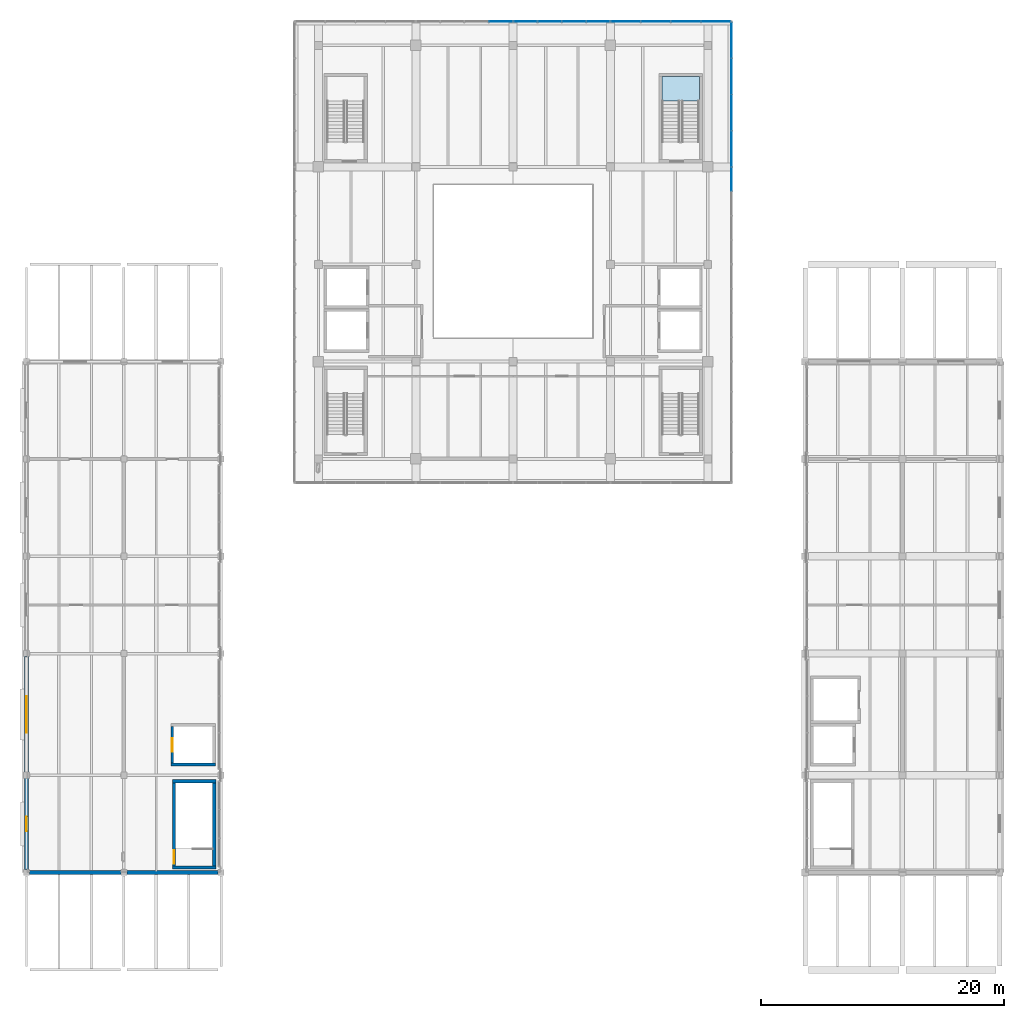
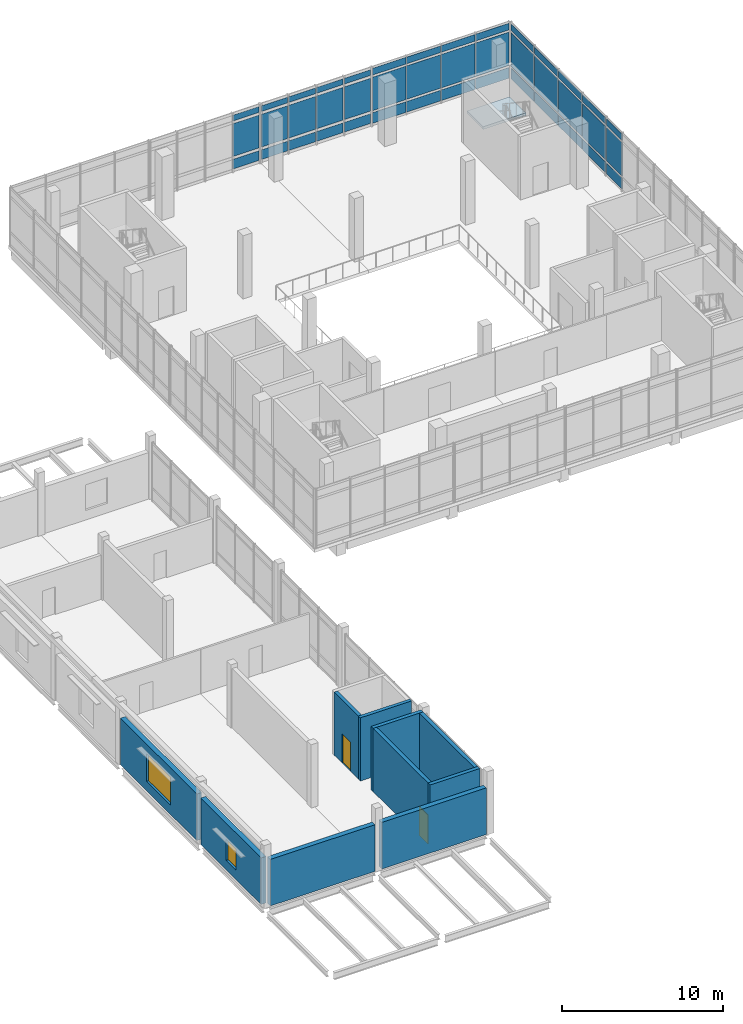
# One storey, part 19 of 28: 42 plates, 10 walls, 2 doors, 2 windows, 1 slab, 4 openings, 6 elements without a shape of their own.
"""IFC4 building model written with IfcOpenShell, lengths in metres."""

from ifc_helpers import new_model, si_unit, direction, frame, frame_2d, origin, origin_2d, place, context, subcontext, project, spatial, polyline, rectangle, outline, extrude, material, layer, layer_set, type_object, element, fill, aggregate, save


model = new_model("IFC4")

# Units and contexts
model_context = context("Model", 3, precision=1e-05, world=origin(), true_north=direction((0.0, 1.0)))
body_context = subcontext(model_context, "Body", "Model", "MODEL_VIEW")
ifc_project = project(units=[si_unit("LENGTHUNIT", "METRE"), si_unit("AREAUNIT", "SQUARE_METRE"), si_unit("VOLUMEUNIT", "CUBIC_METRE"), si_unit("PLANEANGLEUNIT", "RADIAN"), si_unit("MASSUNIT", "GRAM", prefix="KILO")], contexts=[model_context])

# Site, building, storey
site_placement = place(None, origin())
site = spatial("IfcSite", under=ifc_project, at=site_placement, CompositionType="ELEMENT")
building_placement = place(site_placement, origin())
building = spatial("IfcBuilding", under=site, at=building_placement, Name="Pecanmere Concourse Central Library", CompositionType="ELEMENT")
storey_placement = place(building_placement, frame((0.0, 0.0, 20.10009765625)))
storey = spatial("IfcBuildingStorey", under=building, at=storey_placement, Name="L05", CompositionType="ELEMENT", Elevation=20.10009765625)

# Curtain wall, plates
ifc_material_1 = material(Name="Anodized bronze aluminium alloy 6063-T6", Category="aluminium")
curtain_wall_type_1 = type_object("IfcCurtainWallType", Name="CW_PLUMB_BANDED", PredefinedType="USERDEFINED", material=ifc_material_1)
curtain_wall_1_placement = place(storey_placement, origin())
curtain_wall_1 = element("IfcCurtainWall", 1, at=curtain_wall_1_placement, inside=storey, type_object=curtain_wall_type_1, Name="Unitised Curtain Wall CW-02 L05-054", ObjectType="UNITISED CURTAIN WALL", PredefinedType="USERDEFINED")
ifc_material_2 = material(Name="White ceramic-fritted insulated spandrel glazing", Category="glass")
ifc_layer_1 = layer(ifc_material_2, 0.053955078125, Name="CWP_SPN_54")
ifc_layer_set_1 = layer_set([ifc_layer_1], Name="White ceramic-fritted insulated spandrel glazing")
plate_type_1 = type_object("IfcPlateType", Name="CWP_SPN_54", PredefinedType="CURTAIN_PANEL", material=ifc_layer_set_1)
plate_1_placement = place(storey_placement, frame((104.665771484375, 125.96142578125, 0.159912109375), z_axis=(0.0, 0.0, 1.0), x_axis=(-1.0, 0.0, 0.0)))
plate_1 = element("IfcPlate", 2, at=plate_1_placement, type_object=plate_type_1, Name="CW-02 Spandrel Panel 1.1", PredefinedType="CURTAIN_PANEL", context=body_context, shape_type="SweptSolid", body=[
    extrude(rectangle(XDim=2.381591796875, YDim=0.035888671875, at=origin_2d()), origin(), (0.0, 0.0, 1.0), 0.81005859375),
])
plate_2_placement = place(storey_placement, frame((102.202880859375, 125.96142578125, 0.159912109375), z_axis=(0.0, 0.0, 1.0), x_axis=(-1.0, 0.0, 0.0)))
plate_2 = element("IfcPlate", 3, at=plate_2_placement, type_object=plate_type_1, Name="CW-02 Spandrel Panel 2.1", PredefinedType="CURTAIN_PANEL", context=body_context, shape_type="SweptSolid", body=[
    extrude(rectangle(XDim=2.4140625, YDim=0.035888671875, at=origin_2d()), origin(), (0.0, 0.0, 1.0), 0.81005859375),
])
plate_3_placement = place(storey_placement, frame((99.7236328125, 125.96142578125, 0.159912109375), z_axis=(0.0, 0.0, 1.0), x_axis=(-1.0, 0.0, 0.0)))
plate_3 = element("IfcPlate", 4, at=plate_3_placement, type_object=plate_type_1, Name="CW-02 Spandrel Panel 3.1", PredefinedType="CURTAIN_PANEL", context=body_context, shape_type="SweptSolid", body=[
    extrude(rectangle(XDim=2.4140625, YDim=0.035888671875, at=origin_2d()), origin(), (0.0, 0.0, 1.0), 0.81005859375),
])
plate_4_placement = place(storey_placement, frame((97.2607421875, 125.96142578125, 0.159912109375), z_axis=(0.0, 0.0, 1.0), x_axis=(-1.0, 0.0, 0.0)))
plate_4 = element("IfcPlate", 5, at=plate_4_placement, type_object=plate_type_1, Name="CW-02 Spandrel Panel 4.1", PredefinedType="CURTAIN_PANEL", context=body_context, shape_type="SweptSolid", body=[
    extrude(rectangle(XDim=2.381591796875, YDim=0.035888671875, at=origin_2d()), origin(), (0.0, 0.0, 1.0), 0.81005859375),
])

ifc_material_3 = material(Name="Anodized bronze aluminium alloy 6063-T6", Category="aluminium")
curtain_wall_type_2 = type_object("IfcCurtainWallType", Name="CW_PORTAL_CLEAR", PredefinedType="USERDEFINED", material=ifc_material_3)
curtain_wall_2_placement = place(storey_placement, origin())
curtain_wall_2 = element("IfcCurtainWall", 6, at=curtain_wall_2_placement, inside=storey, type_object=curtain_wall_type_2, Name="Unitised Curtain Wall CW-03 L05-055", ObjectType="UNITISED CURTAIN WALL", PredefinedType="USERDEFINED")
plate_5_placement = place(storey_placement, frame((94.97509765625, 125.96142578125, 0.2099609375), z_axis=(0.0, 0.0, 1.0), x_axis=(-1.0, 0.0, 0.0)))
plate_5 = element("IfcPlate", 7, at=plate_5_placement, type_object=plate_type_1, Name="CW-03 Spandrel Panel 1.1", PredefinedType="CURTAIN_PANEL", context=body_context, shape_type="SweptSolid", body=[
    extrude(rectangle(XDim=1.8701171875, YDim=0.035888671875, at=origin_2d()), origin(), (0.0, 0.0, 1.0), 0.735107421875),
])
plate_6_placement = place(storey_placement, frame((92.998779296875, 125.96142578125, 0.2099609375), z_axis=(0.0, 0.0, 1.0), x_axis=(-1.0, 0.0, 0.0)))
plate_6 = element("IfcPlate", 8, at=plate_6_placement, type_object=plate_type_1, Name="CW-03 Spandrel Panel 2.1", PredefinedType="CURTAIN_PANEL", context=body_context, shape_type="SweptSolid", body=[
    extrude(rectangle(XDim=1.91259765625, YDim=0.035888671875, at=origin_2d()), origin(), (0.0, 0.0, 1.0), 0.735107421875),
])
plate_7_placement = place(storey_placement, frame((91.001220703125, 125.96142578125, 0.2099609375), z_axis=(0.0, 0.0, 1.0), x_axis=(-1.0, 0.0, 0.0)))
plate_7 = element("IfcPlate", 9, at=plate_7_placement, type_object=plate_type_1, Name="CW-03 Spandrel Panel 3.1", PredefinedType="CURTAIN_PANEL", context=body_context, shape_type="SweptSolid", body=[
    extrude(rectangle(XDim=1.91259765625, YDim=0.035888671875, at=origin_2d()), origin(), (0.0, 0.0, 1.0), 0.735107421875),
])
plate_8_placement = place(storey_placement, frame((89.02490234375, 125.96142578125, 0.2099609375), z_axis=(0.0, 0.0, 1.0), x_axis=(-1.0, 0.0, 0.0)))
plate_8 = element("IfcPlate", 10, at=plate_8_placement, type_object=plate_type_1, Name="CW-03 Spandrel Panel 4.1", PredefinedType="CURTAIN_PANEL", context=body_context, shape_type="SweptSolid", body=[
    extrude(rectangle(XDim=1.8701171875, YDim=0.035888671875, at=origin_2d()), origin(), (0.0, 0.0, 1.0), 0.735107421875),
])

# Curtain wall, plate
curtain_wall_3_placement = place(storey_placement, origin())
curtain_wall_3 = element("IfcCurtainWall", 11, at=curtain_wall_3_placement, inside=storey, type_object=curtain_wall_type_2, Name="Unitised Curtain Wall CW-03 L05-056", ObjectType="UNITISED CURTAIN WALL", PredefinedType="USERDEFINED")
plate_9_placement = place(storey_placement, frame((86.97509765625, 125.96142578125, 0.2099609375), z_axis=(0.0, 0.0, 1.0), x_axis=(-1.0, 0.0, 0.0)))
plate_9 = element("IfcPlate", 12, at=plate_9_placement, type_object=plate_type_1, Name="CW-03 Spandrel Panel 1.1", PredefinedType="CURTAIN_PANEL", context=body_context, shape_type="SweptSolid", body=[
    extrude(rectangle(XDim=1.8701171875, YDim=0.035888671875, at=origin_2d()), origin(), (0.0, 0.0, 1.0), 0.735107421875),
])

curtain_wall_4_placement = place(storey_placement, origin())
curtain_wall_4 = element("IfcCurtainWall", 13, at=curtain_wall_4_placement, inside=storey, type_object=curtain_wall_type_1, Name="Unitised Curtain Wall CW-02 L05-064", ObjectType="UNITISED CURTAIN WALL", PredefinedType="USERDEFINED")
plate_10_placement = place(storey_placement, frame((105.96142578125, 112.97998046875, 0.159912109375), z_axis=(0.0, 0.0, 1.0), x_axis=(0.0, 1.0, 0.0)))
plate_10 = element("IfcPlate", 14, at=plate_10_placement, type_object=plate_type_1, Name="CW-02 Spandrel Panel 4.1", PredefinedType="CURTAIN_PANEL", context=body_context, shape_type="SweptSolid", body=[
    extrude(rectangle(XDim=1.89990234375, YDim=0.035888671875, at=origin_2d()), origin(), (0.0, 0.0, 1.0), 0.81005859375),
])

# Curtain wall, plates
curtain_wall_5_placement = place(storey_placement, origin())
curtain_wall_5 = element("IfcCurtainWall", 15, at=curtain_wall_5_placement, inside=storey, type_object=curtain_wall_type_1, Name="Unitised Curtain Wall CW-02 L05-065", ObjectType="UNITISED CURTAIN WALL", PredefinedType="USERDEFINED")
plate_11_placement = place(storey_placement, frame((105.96142578125, 115.5107421875, 0.159912109375), z_axis=(0.0, 0.0, 1.0), x_axis=(0.0, 1.0, 0.0)))
plate_11 = element("IfcPlate", 16, at=plate_11_placement, type_object=plate_type_1, Name="CW-02 Spandrel Panel 1.1", PredefinedType="CURTAIN_PANEL", context=body_context, shape_type="SweptSolid", body=[
    extrude(rectangle(XDim=2.881591796875, YDim=0.035888671875, at=origin_2d()), origin(), (0.0, 0.0, 1.0), 0.81005859375),
])
plate_12_placement = place(storey_placement, frame((105.96142578125, 118.4736328125, 0.159912109375), z_axis=(0.0, 0.0, 1.0), x_axis=(0.0, 1.0, 0.0)))
plate_12 = element("IfcPlate", 17, at=plate_12_placement, type_object=plate_type_1, Name="CW-02 Spandrel Panel 2.1", PredefinedType="CURTAIN_PANEL", context=body_context, shape_type="SweptSolid", body=[
    extrude(rectangle(XDim=2.9140625, YDim=0.035888671875, at=origin_2d()), origin(), (0.0, 0.0, 1.0), 0.81005859375),
])
plate_13_placement = place(storey_placement, frame((105.96142578125, 121.452880859375, 0.159912109375), z_axis=(0.0, 0.0, 1.0), x_axis=(0.0, 1.0, 0.0)))
plate_13 = element("IfcPlate", 18, at=plate_13_placement, type_object=plate_type_1, Name="CW-02 Spandrel Panel 3.1", PredefinedType="CURTAIN_PANEL", context=body_context, shape_type="SweptSolid", body=[
    extrude(rectangle(XDim=2.9140625, YDim=0.035888671875, at=origin_2d()), origin(), (0.0, 0.0, 1.0), 0.81005859375),
])
plate_14_placement = place(storey_placement, frame((105.96142578125, 124.415771484375, 0.159912109375), z_axis=(0.0, 0.0, 1.0), x_axis=(0.0, 1.0, 0.0)))
plate_14 = element("IfcPlate", 19, at=plate_14_placement, type_object=plate_type_1, Name="CW-02 Spandrel Panel 4.1", PredefinedType="CURTAIN_PANEL", context=body_context, shape_type="SweptSolid", body=[
    extrude(rectangle(XDim=2.881591796875, YDim=0.035888671875, at=origin_2d()), origin(), (0.0, 0.0, 1.0), 0.81005859375),
])

# Plate
ifc_material_4 = material(Name="Low-iron clear insulated glazing", Category="glass")
ifc_layer_2 = layer(ifc_material_4, 0.035888671875, Name="CWP_VIS_36")
ifc_layer_set_2 = layer_set([ifc_layer_2], Name="Low-iron clear insulated glazing")
plate_type_2 = type_object("IfcPlateType", Name="CWP_VIS_36", PredefinedType="CURTAIN_PANEL", material=ifc_layer_set_2)
plate_15_placement = place(storey_placement, frame((104.665771484375, 125.96142578125, 1.1298828125), z_axis=(0.0, 0.0, 1.0), x_axis=(-1.0, 0.0, 0.0)))
plate_15 = element("IfcPlate", 20, at=plate_15_placement, type_object=plate_type_2, Name="CW-02 Vision Panel 1.2", PredefinedType="CURTAIN_PANEL", context=body_context, shape_type="SweptSolid", body=[
    extrude(rectangle(XDim=2.381591796875, YDim=0.035888671875, at=origin_2d()), origin(), (0.0, 0.0, 1.0), 2.5400390625),
])

plate_16_placement = place(storey_placement, frame((104.665771484375, 125.96142578125, 3.830078125), z_axis=(0.0, 0.0, 1.0), x_axis=(-1.0, 0.0, 0.0)))
plate_16 = element("IfcPlate", 21, at=plate_16_placement, type_object=plate_type_2, Name="CW-02 Vision Panel 1.3", PredefinedType="CURTAIN_PANEL", context=body_context, shape_type="SweptSolid", body=[
    extrude(rectangle(XDim=2.381591796875, YDim=0.035888671875, at=origin_2d()), origin(), (0.0, 0.0, 1.0), 0.510009765625),
])

plate_17_placement = place(storey_placement, frame((102.202880859375, 125.96142578125, 1.1298828125), z_axis=(0.0, 0.0, 1.0), x_axis=(-1.0, 0.0, 0.0)))
plate_17 = element("IfcPlate", 22, at=plate_17_placement, type_object=plate_type_2, Name="CW-02 Vision Panel 2.2", PredefinedType="CURTAIN_PANEL", context=body_context, shape_type="SweptSolid", body=[
    extrude(rectangle(XDim=2.4140625, YDim=0.035888671875, at=origin_2d()), origin(), (0.0, 0.0, 1.0), 2.5400390625),
])

plate_18_placement = place(storey_placement, frame((102.202880859375, 125.96142578125, 3.830078125), z_axis=(0.0, 0.0, 1.0), x_axis=(-1.0, 0.0, 0.0)))
plate_18 = element("IfcPlate", 23, at=plate_18_placement, type_object=plate_type_2, Name="CW-02 Vision Panel 2.3", PredefinedType="CURTAIN_PANEL", context=body_context, shape_type="SweptSolid", body=[
    extrude(rectangle(XDim=2.4140625, YDim=0.035888671875, at=origin_2d()), origin(), (0.0, 0.0, 1.0), 0.510009765625),
])

plate_19_placement = place(storey_placement, frame((99.7236328125, 125.96142578125, 1.1298828125), z_axis=(0.0, 0.0, 1.0), x_axis=(-1.0, 0.0, 0.0)))
plate_19 = element("IfcPlate", 24, at=plate_19_placement, type_object=plate_type_2, Name="CW-02 Vision Panel 3.2", PredefinedType="CURTAIN_PANEL", context=body_context, shape_type="SweptSolid", body=[
    extrude(rectangle(XDim=2.4140625, YDim=0.035888671875, at=origin_2d()), origin(), (0.0, 0.0, 1.0), 2.5400390625),
])

plate_20_placement = place(storey_placement, frame((99.7236328125, 125.96142578125, 3.830078125), z_axis=(0.0, 0.0, 1.0), x_axis=(-1.0, 0.0, 0.0)))
plate_20 = element("IfcPlate", 25, at=plate_20_placement, type_object=plate_type_2, Name="CW-02 Vision Panel 3.3", PredefinedType="CURTAIN_PANEL", context=body_context, shape_type="SweptSolid", body=[
    extrude(rectangle(XDim=2.4140625, YDim=0.035888671875, at=origin_2d()), origin(), (0.0, 0.0, 1.0), 0.510009765625),
])

plate_21_placement = place(storey_placement, frame((97.2607421875, 125.96142578125, 1.1298828125), z_axis=(0.0, 0.0, 1.0), x_axis=(-1.0, 0.0, 0.0)))
plate_21 = element("IfcPlate", 26, at=plate_21_placement, type_object=plate_type_2, Name="CW-02 Vision Panel 4.2", PredefinedType="CURTAIN_PANEL", context=body_context, shape_type="SweptSolid", body=[
    extrude(rectangle(XDim=2.381591796875, YDim=0.035888671875, at=origin_2d()), origin(), (0.0, 0.0, 1.0), 2.5400390625),
])

plate_22_placement = place(storey_placement, frame((97.2607421875, 125.96142578125, 3.830078125), z_axis=(0.0, 0.0, 1.0), x_axis=(-1.0, 0.0, 0.0)))
plate_22 = element("IfcPlate", 27, at=plate_22_placement, type_object=plate_type_2, Name="CW-02 Vision Panel 4.3", PredefinedType="CURTAIN_PANEL", context=body_context, shape_type="SweptSolid", body=[
    extrude(rectangle(XDim=2.381591796875, YDim=0.035888671875, at=origin_2d()), origin(), (0.0, 0.0, 1.0), 0.510009765625),
])

aggregate(curtain_wall_1, [plate_1, plate_15, plate_16, plate_2, plate_17, plate_18, plate_3, plate_19, plate_20, plate_4, plate_21, plate_22])

plate_23_placement = place(storey_placement, frame((94.97509765625, 125.96142578125, 1.15478515625), z_axis=(0.0, 0.0, 1.0), x_axis=(-1.0, 0.0, 0.0)))
plate_23 = element("IfcPlate", 28, at=plate_23_placement, type_object=plate_type_2, Name="CW-03 Vision Panel 1.2", PredefinedType="CURTAIN_PANEL", context=body_context, shape_type="SweptSolid", body=[
    extrude(rectangle(XDim=1.8701171875, YDim=0.035888671875, at=origin_2d()), origin(), (0.0, 0.0, 1.0), 2.489990234375),
])

plate_24_placement = place(storey_placement, frame((94.97509765625, 125.96142578125, 3.85498046875), z_axis=(0.0, 0.0, 1.0), x_axis=(-1.0, 0.0, 0.0)))
plate_24 = element("IfcPlate", 29, at=plate_24_placement, type_object=plate_type_2, Name="CW-03 Vision Panel 1.3", PredefinedType="CURTAIN_PANEL", context=body_context, shape_type="SweptSolid", body=[
    extrude(rectangle(XDim=1.8701171875, YDim=0.035888671875, at=origin_2d()), origin(), (0.0, 0.0, 1.0), 0.43505859375),
])

plate_25_placement = place(storey_placement, frame((92.998779296875, 125.96142578125, 1.15478515625), z_axis=(0.0, 0.0, 1.0), x_axis=(-1.0, 0.0, 0.0)))
plate_25 = element("IfcPlate", 30, at=plate_25_placement, type_object=plate_type_2, Name="CW-03 Vision Panel 2.2", PredefinedType="CURTAIN_PANEL", context=body_context, shape_type="SweptSolid", body=[
    extrude(rectangle(XDim=1.91259765625, YDim=0.035888671875, at=origin_2d()), origin(), (0.0, 0.0, 1.0), 2.489990234375),
])

plate_26_placement = place(storey_placement, frame((92.998779296875, 125.96142578125, 3.85498046875), z_axis=(0.0, 0.0, 1.0), x_axis=(-1.0, 0.0, 0.0)))
plate_26 = element("IfcPlate", 31, at=plate_26_placement, type_object=plate_type_2, Name="CW-03 Vision Panel 2.3", PredefinedType="CURTAIN_PANEL", context=body_context, shape_type="SweptSolid", body=[
    extrude(rectangle(XDim=1.91259765625, YDim=0.035888671875, at=origin_2d()), origin(), (0.0, 0.0, 1.0), 0.43505859375),
])

plate_27_placement = place(storey_placement, frame((91.001220703125, 125.96142578125, 1.15478515625), z_axis=(0.0, 0.0, 1.0), x_axis=(-1.0, 0.0, 0.0)))
plate_27 = element("IfcPlate", 32, at=plate_27_placement, type_object=plate_type_2, Name="CW-03 Vision Panel 3.2", PredefinedType="CURTAIN_PANEL", context=body_context, shape_type="SweptSolid", body=[
    extrude(rectangle(XDim=1.91259765625, YDim=0.035888671875, at=origin_2d()), origin(), (0.0, 0.0, 1.0), 2.489990234375),
])

plate_28_placement = place(storey_placement, frame((91.001220703125, 125.96142578125, 3.85498046875), z_axis=(0.0, 0.0, 1.0), x_axis=(-1.0, 0.0, 0.0)))
plate_28 = element("IfcPlate", 33, at=plate_28_placement, type_object=plate_type_2, Name="CW-03 Vision Panel 3.3", PredefinedType="CURTAIN_PANEL", context=body_context, shape_type="SweptSolid", body=[
    extrude(rectangle(XDim=1.91259765625, YDim=0.035888671875, at=origin_2d()), origin(), (0.0, 0.0, 1.0), 0.43505859375),
])

plate_29_placement = place(storey_placement, frame((89.02490234375, 125.96142578125, 1.15478515625), z_axis=(0.0, 0.0, 1.0), x_axis=(-1.0, 0.0, 0.0)))
plate_29 = element("IfcPlate", 34, at=plate_29_placement, type_object=plate_type_2, Name="CW-03 Vision Panel 4.2", PredefinedType="CURTAIN_PANEL", context=body_context, shape_type="SweptSolid", body=[
    extrude(rectangle(XDim=1.8701171875, YDim=0.035888671875, at=origin_2d()), origin(), (0.0, 0.0, 1.0), 2.489990234375),
])

plate_30_placement = place(storey_placement, frame((89.02490234375, 125.96142578125, 3.85498046875), z_axis=(0.0, 0.0, 1.0), x_axis=(-1.0, 0.0, 0.0)))
plate_30 = element("IfcPlate", 35, at=plate_30_placement, type_object=plate_type_2, Name="CW-03 Vision Panel 4.3", PredefinedType="CURTAIN_PANEL", context=body_context, shape_type="SweptSolid", body=[
    extrude(rectangle(XDim=1.8701171875, YDim=0.035888671875, at=origin_2d()), origin(), (0.0, 0.0, 1.0), 0.43505859375),
])

aggregate(curtain_wall_2, [plate_5, plate_23, plate_24, plate_6, plate_25, plate_26, plate_7, plate_27, plate_28, plate_8, plate_29, plate_30])

plate_31_placement = place(storey_placement, frame((86.97509765625, 125.96142578125, 1.15478515625), z_axis=(0.0, 0.0, 1.0), x_axis=(-1.0, 0.0, 0.0)))
plate_31 = element("IfcPlate", 36, at=plate_31_placement, type_object=plate_type_2, Name="CW-03 Vision Panel 1.2", PredefinedType="CURTAIN_PANEL", context=body_context, shape_type="SweptSolid", body=[
    extrude(rectangle(XDim=1.8701171875, YDim=0.035888671875, at=origin_2d()), origin(), (0.0, 0.0, 1.0), 2.489990234375),
])

plate_32_placement = place(storey_placement, frame((86.97509765625, 125.96142578125, 3.85498046875), z_axis=(0.0, 0.0, 1.0), x_axis=(-1.0, 0.0, 0.0)))
plate_32 = element("IfcPlate", 37, at=plate_32_placement, type_object=plate_type_2, Name="CW-03 Vision Panel 1.3", PredefinedType="CURTAIN_PANEL", context=body_context, shape_type="SweptSolid", body=[
    extrude(rectangle(XDim=1.8701171875, YDim=0.035888671875, at=origin_2d()), origin(), (0.0, 0.0, 1.0), 0.43505859375),
])

aggregate(curtain_wall_3, [plate_9, plate_31, plate_32])

plate_33_placement = place(storey_placement, frame((105.96142578125, 112.97998046875, 1.1298828125), z_axis=(0.0, 0.0, 1.0), x_axis=(0.0, 1.0, 0.0)))
plate_33 = element("IfcPlate", 38, at=plate_33_placement, type_object=plate_type_2, Name="CW-02 Vision Panel 4.2", PredefinedType="CURTAIN_PANEL", context=body_context, shape_type="SweptSolid", body=[
    extrude(rectangle(XDim=1.89990234375, YDim=0.035888671875, at=origin_2d()), origin(), (0.0, 0.0, 1.0), 2.5400390625),
])

plate_34_placement = place(storey_placement, frame((105.96142578125, 112.97998046875, 3.830078125), z_axis=(0.0, 0.0, 1.0), x_axis=(0.0, 1.0, 0.0)))
plate_34 = element("IfcPlate", 39, at=plate_34_placement, type_object=plate_type_2, Name="CW-02 Vision Panel 4.3", PredefinedType="CURTAIN_PANEL", context=body_context, shape_type="SweptSolid", body=[
    extrude(rectangle(XDim=1.89990234375, YDim=0.035888671875, at=origin_2d()), origin(), (0.0, 0.0, 1.0), 0.510009765625),
])

aggregate(curtain_wall_4, [plate_10, plate_33, plate_34])

plate_35_placement = place(storey_placement, frame((105.96142578125, 115.5107421875, 1.1298828125), z_axis=(0.0, 0.0, 1.0), x_axis=(0.0, 1.0, 0.0)))
plate_35 = element("IfcPlate", 40, at=plate_35_placement, type_object=plate_type_2, Name="CW-02 Vision Panel 1.2", PredefinedType="CURTAIN_PANEL", context=body_context, shape_type="SweptSolid", body=[
    extrude(rectangle(XDim=2.881591796875, YDim=0.035888671875, at=origin_2d()), origin(), (0.0, 0.0, 1.0), 2.5400390625),
])

plate_36_placement = place(storey_placement, frame((105.96142578125, 115.5107421875, 3.830078125), z_axis=(0.0, 0.0, 1.0), x_axis=(0.0, 1.0, 0.0)))
plate_36 = element("IfcPlate", 41, at=plate_36_placement, type_object=plate_type_2, Name="CW-02 Vision Panel 1.3", PredefinedType="CURTAIN_PANEL", context=body_context, shape_type="SweptSolid", body=[
    extrude(rectangle(XDim=2.881591796875, YDim=0.035888671875, at=origin_2d()), origin(), (0.0, 0.0, 1.0), 0.510009765625),
])

plate_37_placement = place(storey_placement, frame((105.96142578125, 118.4736328125, 1.1298828125), z_axis=(0.0, 0.0, 1.0), x_axis=(0.0, 1.0, 0.0)))
plate_37 = element("IfcPlate", 42, at=plate_37_placement, type_object=plate_type_2, Name="CW-02 Vision Panel 2.2", PredefinedType="CURTAIN_PANEL", context=body_context, shape_type="SweptSolid", body=[
    extrude(rectangle(XDim=2.9140625, YDim=0.035888671875, at=origin_2d()), origin(), (0.0, 0.0, 1.0), 2.5400390625),
])

plate_38_placement = place(storey_placement, frame((105.96142578125, 118.4736328125, 3.830078125), z_axis=(0.0, 0.0, 1.0), x_axis=(0.0, 1.0, 0.0)))
plate_38 = element("IfcPlate", 43, at=plate_38_placement, type_object=plate_type_2, Name="CW-02 Vision Panel 2.3", PredefinedType="CURTAIN_PANEL", context=body_context, shape_type="SweptSolid", body=[
    extrude(rectangle(XDim=2.9140625, YDim=0.035888671875, at=origin_2d()), origin(), (0.0, 0.0, 1.0), 0.510009765625),
])

plate_39_placement = place(storey_placement, frame((105.96142578125, 121.452880859375, 1.1298828125), z_axis=(0.0, 0.0, 1.0), x_axis=(0.0, 1.0, 0.0)))
plate_39 = element("IfcPlate", 44, at=plate_39_placement, type_object=plate_type_2, Name="CW-02 Vision Panel 3.2", PredefinedType="CURTAIN_PANEL", context=body_context, shape_type="SweptSolid", body=[
    extrude(rectangle(XDim=2.9140625, YDim=0.035888671875, at=origin_2d()), origin(), (0.0, 0.0, 1.0), 2.5400390625),
])

plate_40_placement = place(storey_placement, frame((105.96142578125, 121.452880859375, 3.830078125), z_axis=(0.0, 0.0, 1.0), x_axis=(0.0, 1.0, 0.0)))
plate_40 = element("IfcPlate", 45, at=plate_40_placement, type_object=plate_type_2, Name="CW-02 Vision Panel 3.3", PredefinedType="CURTAIN_PANEL", context=body_context, shape_type="SweptSolid", body=[
    extrude(rectangle(XDim=2.9140625, YDim=0.035888671875, at=origin_2d()), origin(), (0.0, 0.0, 1.0), 0.510009765625),
])

plate_41_placement = place(storey_placement, frame((105.96142578125, 124.415771484375, 1.1298828125), z_axis=(0.0, 0.0, 1.0), x_axis=(0.0, 1.0, 0.0)))
plate_41 = element("IfcPlate", 46, at=plate_41_placement, type_object=plate_type_2, Name="CW-02 Vision Panel 4.2", PredefinedType="CURTAIN_PANEL", context=body_context, shape_type="SweptSolid", body=[
    extrude(rectangle(XDim=2.881591796875, YDim=0.035888671875, at=origin_2d()), origin(), (0.0, 0.0, 1.0), 2.5400390625),
])

plate_42_placement = place(storey_placement, frame((105.96142578125, 124.415771484375, 3.830078125), z_axis=(0.0, 0.0, 1.0), x_axis=(0.0, 1.0, 0.0)))
plate_42 = element("IfcPlate", 47, at=plate_42_placement, type_object=plate_type_2, Name="CW-02 Vision Panel 4.3", PredefinedType="CURTAIN_PANEL", context=body_context, shape_type="SweptSolid", body=[
    extrude(rectangle(XDim=2.881591796875, YDim=0.035888671875, at=origin_2d()), origin(), (0.0, 0.0, 1.0), 0.510009765625),
])

aggregate(curtain_wall_5, [plate_11, plate_35, plate_36, plate_12, plate_37, plate_38, plate_13, plate_39, plate_40, plate_14, plate_41, plate_42])

# Stair, slab
ifc_material_5 = material(Name="Concrete C35/45", Category="concrete")
stair_type = type_object("IfcStairType", Name="STAIR_TYPE_ST-04-1846", PredefinedType="USERDEFINED", material=ifc_material_5)
stair_placement = place(storey_placement, origin())
stair = element("IfcStair", 48, at=stair_placement, inside=storey, type_object=stair_type, Name="L05 Protected Stair ST-04", ObjectType="TWO_RETURN_STAIR", PredefinedType="USERDEFINED")
ifc_material_6 = material(Name="Concrete C35/45", Category="concrete")
ifc_layer_3 = layer(ifc_material_6, 0.199951171875, Name="SLAB_LANDING_200")
ifc_layer_set_3 = layer_set([ifc_layer_3], Name="Concrete C35/45")
slab_type = type_object("IfcSlabType", Name="SLAB_LANDING_200", PredefinedType="LANDING", material=ifc_layer_set_3)
slab_placement = place(storey_placement, frame((0.0, 0.0, 2.199951171875)))
slab = element("IfcSlab", 49, at=slab_placement, type_object=slab_type, Name="ST-04-1846 landing 1", PredefinedType="LANDING", context=body_context, shape_type="SweptSolid", body=[
    extrude(outline(polyline([(103.300048828125, 119.409912109375), (103.300048828125, 121.419921875), (100.239990234375, 121.419921875), (100.239990234375, 119.409912109375), (103.300048828125, 119.409912109375)])), origin(), (0.0, 0.0, 1.0), 0.199951171875),
])
aggregate(stair, [slab])

# Wall, opening, window
ifc_material_7 = material(Name="Texas cream limestone ashlar masonry", Category="masonry")
ifc_layer_4 = layer(ifc_material_7, 0.35009765625, Name="EW_LIME_350")
ifc_layer_set_4 = layer_set([ifc_layer_4], Name="Texas cream limestone ashlar masonry")
wall_type_1 = type_object("IfcWallType", Name="EW_LIME_350", PredefinedType="STANDARD", material=ifc_layer_set_4)
wall_1_placement = place(storey_placement, frame((48.0, 63.7548828125, 0.0), z_axis=(0.0, 0.0, 1.0), x_axis=(0.0, -1.0, 0.0)))
wall_1 = element("IfcWall", 50, at=wall_1_placement, inside=storey, type_object=wall_type_1, Name="Limestone Facade Wall L05-0200", PredefinedType="STANDARD", context=body_context, shape_type="SweptSolid", body=[
    extrude(rectangle(XDim=7.509765625, YDim=0.35009765625, at=frame_2d((3.7548828125, 0.0))), origin(), (0.0, 0.0, 1.0), 3.539794921875),
])
opening_1_placement = place(wall_1_placement, frame((3.155029296875, 0.0, 0.719970703125)))
opening_1 = element("IfcOpeningElement", 51, at=opening_1_placement, cuts=wall_1, Name="Opening WN-13", PredefinedType="OPENING", context=body_context, shape_type="SweptSolid", body=[
    extrude(rectangle(XDim=1.199951171875, YDim=1.60009765625, at=frame_2d((0.60009765625, 0.800048828125))), frame((0.0, 0.18701171875, 0.0), z_axis=(0.0, -1.0, 0.0), x_axis=(1.0, 0.0, 0.0)), (0.0, 0.0, 1.0), 0.3740234375),
])
ifc_material_8 = material(Name="Low-iron clear insulated glazing", Category="glass")
window_type_1 = type_object("IfcWindowType", Name="WIN_1200x1600", PartitioningType="SINGLE_PANEL", PredefinedType="WINDOW", material=ifc_material_8)
window_1_placement = place(opening_1_placement, origin())
window_1 = element("IfcWindow", 52, at=window_1_placement, inside=storey, type_object=window_type_1, Name="WN-169", OverallHeight=1.60009765625, OverallWidth=1.199951171875, PartitioningType="SINGLE_PANEL", PredefinedType="WINDOW", context=body_context, shape_type="SweptSolid", body=[
    extrude(rectangle(XDim=1.199951171875, YDim=1.60009765625, at=frame_2d((0.60009765625, 0.800048828125))), frame((0.0, 0.030029296875, 0.0), z_axis=(0.0, -1.0, 0.0), x_axis=(1.0, 0.0, 0.0)), (0.0, 0.0, 1.0), 0.06005859375),
])
fill(opening_1, window_1)

wall_2_placement = place(storey_placement, frame((48.0, 73.7548828125, 0.0), z_axis=(0.0, 0.0, 1.0), x_axis=(0.0, -1.0, 0.0)))
wall_2 = element("IfcWall", 53, at=wall_2_placement, inside=storey, type_object=wall_type_1, Name="Limestone Facade Wall L05-0202", PredefinedType="STANDARD", context=body_context, shape_type="SweptSolid", body=[
    extrude(rectangle(XDim=9.509765625, YDim=0.35009765625, at=frame_2d((4.7548828125, 0.0))), origin(), (0.0, 0.0, 1.0), 3.539794921875),
])
opening_2_placement = place(wall_2_placement, frame((3.2548828125, 0.0, 0.719970703125)))
opening_2 = element("IfcOpeningElement", 54, at=opening_2_placement, cuts=wall_2, Name="Opening WN-17", PredefinedType="OPENING", context=body_context, shape_type="SweptSolid", body=[
    extrude(rectangle(XDim=3.0, YDim=2.10009765625, at=frame_2d((1.5, 1.050048828125))), frame((0.0, 0.18701171875, 0.0), z_axis=(0.0, -1.0, 0.0), x_axis=(1.0, 0.0, 0.0)), (0.0, 0.0, 1.0), 0.3740234375),
])
ifc_material_9 = material(Name="Low-iron clear insulated glazing", Category="glass")
window_type_2 = type_object("IfcWindowType", Name="WIN_3000x2100", PartitioningType="SINGLE_PANEL", PredefinedType="WINDOW", material=ifc_material_9)
window_2_placement = place(opening_2_placement, origin())
window_2 = element("IfcWindow", 55, at=window_2_placement, inside=storey, type_object=window_type_2, Name="WN-171", OverallHeight=2.10009765625, OverallWidth=3.0, PartitioningType="SINGLE_PANEL", PredefinedType="WINDOW", context=body_context, shape_type="SweptSolid", body=[
    extrude(rectangle(XDim=3.0, YDim=2.10009765625, at=frame_2d((1.5, 1.050048828125))), frame((0.0, 0.030029296875, 0.0), z_axis=(0.0, -1.0, 0.0), x_axis=(1.0, 0.0, 0.0)), (0.0, 0.0, 1.0), 0.06005859375),
])
fill(opening_2, window_2)

# Walls
for number, where, z_axis, x_axis, name in (
    (56, (48.2451171875, 56.0, 0.0), (0.0, 0.0, 1.0), (1.0, 0.0, 0.0), "Limestone Facade Wall L05-0213"),
    (57, (56.2451171875, 56.0, 0.0), (0.0, 0.0, 1.0), (1.0, 0.0, 0.0), "Limestone Facade Wall L05-0215"),
):
    element("IfcWall", number, at=place(storey_placement, frame(where, z_axis=z_axis, x_axis=x_axis)), inside=storey, type_object=wall_type_1, Name=name, PredefinedType="STANDARD", context=body_context, shape_type="SweptSolid", body=[
        extrude(rectangle(XDim=7.509765625, YDim=0.35009765625, at=frame_2d((3.7548828125, 0.0))), origin(), (0.0, 0.0, 1.0), 3.539794921875),
    ])
ifc_material_10 = material(Name="Concrete C40/50", Category="concrete")
ifc_layer_5 = layer(ifc_material_10, 0.239990234375, Name="WALL_SLD_240")
ifc_layer_set_5 = layer_set([ifc_layer_5], Name="Concrete C40/50")
wall_type_2 = type_object("IfcWallType", Name="WALL_SLD_240", PredefinedType="SOLIDWALL", material=ifc_layer_set_5)
wall_3_placement = place(storey_placement, frame((59.860107421875, 64.8798828125, 0.0), z_axis=(0.0, 0.0, 1.0), x_axis=(1.0, 0.0, 0.0)))
element("IfcWall", 58, at=wall_3_placement, inside=storey, type_object=wall_type_2, Name="Hoistway Wall LP-04 L05-S", PredefinedType="SOLIDWALL", context=body_context, shape_type="SweptSolid", body=[
    extrude(rectangle(XDim=3.679931640625, YDim=0.239990234375, at=frame_2d((1.83984375, 0.0))), origin(), (0.0, 0.0, 1.0), 4.7998046875),
])

# Wall, opening, door
wall_4_placement = place(storey_placement, frame((59.97998046875, 65.0, 0.0), z_axis=(0.0, 0.0, 1.0), x_axis=(0.0, 1.0, 0.0)))
wall_4 = element("IfcWall", 59, at=wall_4_placement, inside=storey, type_object=wall_type_2, Name="Hoistway Wall LP-04 L05-W", PredefinedType="SOLIDWALL", context=body_context, shape_type="SweptSolid", body=[
    extrude(rectangle(XDim=3.0, YDim=0.239990234375, at=frame_2d((1.5, 0.0))), origin(), (0.0, 0.0, 1.0), 4.7998046875),
])
opening_3_placement = place(wall_4_placement, frame((0.949951171875, 0.0, 0.0)))
opening_3 = element("IfcOpeningElement", 60, at=opening_3_placement, cuts=wall_4, Name="Opening LD-01", PredefinedType="OPENING", context=body_context, shape_type="SweptSolid", body=[
    extrude(rectangle(XDim=1.10009765625, YDim=2.199951171875, at=frame_2d((0.550048828125, 1.10009765625))), frame((0.0, 0.1318359375, 0.0), z_axis=(0.0, -1.0, 0.0), x_axis=(1.0, 0.0, 0.0)), (0.0, 0.0, 1.0), 0.263916015625),
])
ifc_material_11 = material(Name="Brushed stainless steel Grade 316", Category="steel")
door_type_1 = type_object("IfcDoorType", Name="LD-01", OperationType="DOUBLE_DOOR_SLIDING", PredefinedType="DOOR", material=ifc_material_11)
door_1_placement = place(opening_3_placement, origin())
door_1 = element("IfcDoor", 61, at=door_1_placement, inside=storey, type_object=door_type_1, Name="LD-LP-04-L05", OperationType="DOUBLE_DOOR_SLIDING", OverallHeight=2.199951171875, OverallWidth=1.10009765625, PredefinedType="DOOR", context=body_context, shape_type="SweptSolid", body=[
    extrude(rectangle(XDim=1.10009765625, YDim=2.199951171875, at=frame_2d((0.550048828125, 1.10009765625))), frame((0.0, 0.02490234375, 0.0), z_axis=(0.0, -1.0, 0.0), x_axis=(1.0, 0.0, 0.0)), (0.0, 0.0, 1.0), 0.050048828125),
])
fill(opening_3, door_1)

# Walls
ifc_material_12 = material(Name="Concrete C40/50", Category="concrete")
ifc_layer_6 = layer(ifc_material_12, 0.260009765625, Name="WALL_SLD_260")
ifc_layer_set_6 = layer_set([ifc_layer_6], Name="Concrete C40/50")
wall_type_3 = type_object("IfcWallType", Name="WALL_SLD_260", PredefinedType="SOLIDWALL", material=ifc_layer_set_6)
for number, where, z_axis, x_axis, name in (
    (62, (59.97998046875, 56.419921875, 0.0), (0.0, 0.0, 1.0), (1.0, 0.0, 0.0), "Core C6 South Wall L05"),
    (63, (59.97998046875, 63.5, 0.0), (0.0, 0.0, 1.0), (1.0, 0.0, 0.0), "Core C6 North Wall L05"),
):
    element("IfcWall", number, at=place(storey_placement, frame(where, z_axis=z_axis, x_axis=x_axis)), inside=storey, type_object=wall_type_3, Name=name, PredefinedType="SOLIDWALL", context=body_context, shape_type="SweptSolid", body=[
        extrude(rectangle(XDim=3.580078125, YDim=0.260009765625, at=frame_2d((1.7900390625, 0.0))), origin(), (0.0, 0.0, 1.0), 4.7998046875),
    ])

# Wall, opening, door
wall_5_placement = place(storey_placement, frame((60.110107421875, 56.550048828125, 0.0), z_axis=(0.0, 0.0, 1.0), x_axis=(0.0, 1.0, 0.0)))
wall_5 = element("IfcWall", 64, at=wall_5_placement, inside=storey, type_object=wall_type_3, Name="Core C6 W Wall L05", PredefinedType="SOLIDWALL", context=body_context, shape_type="SweptSolid", body=[
    extrude(rectangle(XDim=6.820068359375, YDim=0.260009765625, at=frame_2d((3.41015625, 0.0))), origin(), (0.0, 0.0, 1.0), 4.7998046875),
])
opening_4_placement = place(wall_5_placement, frame((0.18994140625, 0.0, 0.0)))
opening_4 = element("IfcOpeningElement", 65, at=opening_4_placement, cuts=wall_5, Name="Opening FD-02", PredefinedType="OPENING", context=body_context, shape_type="SweptSolid", body=[
    extrude(rectangle(XDim=1.10009765625, YDim=2.199951171875, at=frame_2d((0.550048828125, 1.10009765625))), frame((0.0, 0.14208984375, 0.0), z_axis=(0.0, -1.0, 0.0), x_axis=(1.0, 0.0, 0.0)), (0.0, 0.0, 1.0), 0.283935546875),
])
ifc_material_13 = material(Name="Painted architectural steel ASTM A36", Category="steel")
door_type_2 = type_object("IfcDoorType", Name="FD-02", OperationType="SINGLE_SWING_RIGHT", PredefinedType="DOOR", material=ifc_material_13)
door_2_placement = place(opening_4_placement, origin())
door_2 = element("IfcDoor", 66, at=door_2_placement, inside=storey, type_object=door_type_2, Name="D-044", OperationType="SINGLE_SWING_RIGHT", OverallHeight=2.199951171875, OverallWidth=1.10009765625, PredefinedType="DOOR", context=body_context, shape_type="SweptSolid", body=[
    extrude(rectangle(XDim=1.10009765625, YDim=2.199951171875, at=frame_2d((0.550048828125, 1.10009765625))), frame((0.0, 0.02490234375, 0.0), z_axis=(0.0, -1.0, 0.0), x_axis=(1.0, 0.0, 0.0)), (0.0, 0.0, 1.0), 0.050048828125),
])
fill(opening_4, door_2)

# Wall
wall_6_placement = place(storey_placement, frame((63.429931640625, 56.550048828125, 0.0), z_axis=(0.0, 0.0, 1.0), x_axis=(0.0, 1.0, 0.0)))
element("IfcWall", 67, at=wall_6_placement, inside=storey, type_object=wall_type_3, Name="Core C6 E Wall L05", PredefinedType="SOLIDWALL", context=body_context, shape_type="SweptSolid", body=[
    extrude(rectangle(XDim=6.820068359375, YDim=0.260009765625, at=frame_2d((3.41015625, 0.0))), origin(), (0.0, 0.0, 1.0), 4.7998046875),
])

save(model, "model.ifc")
